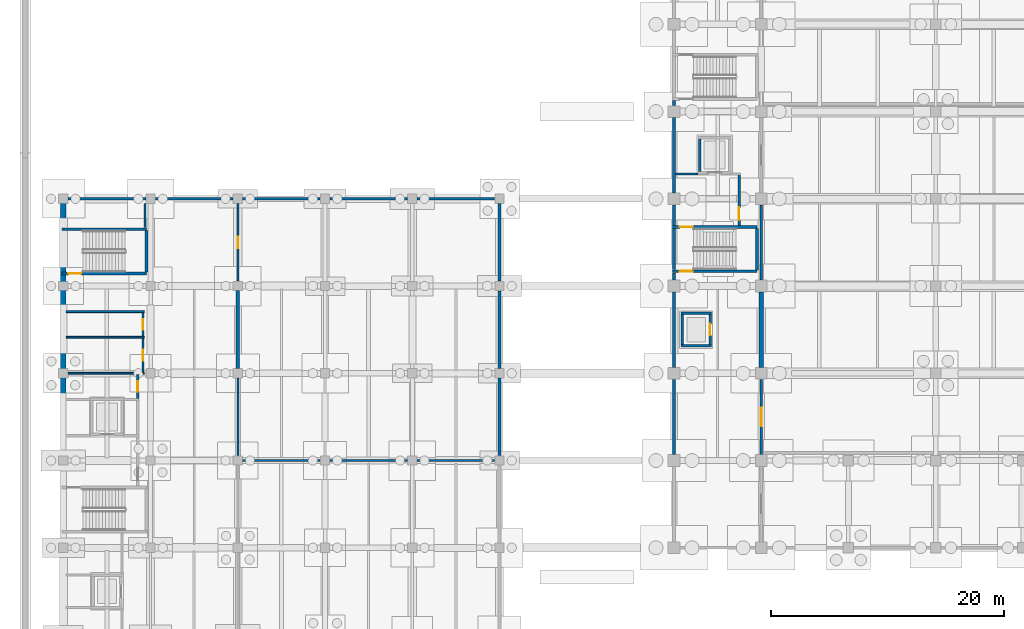
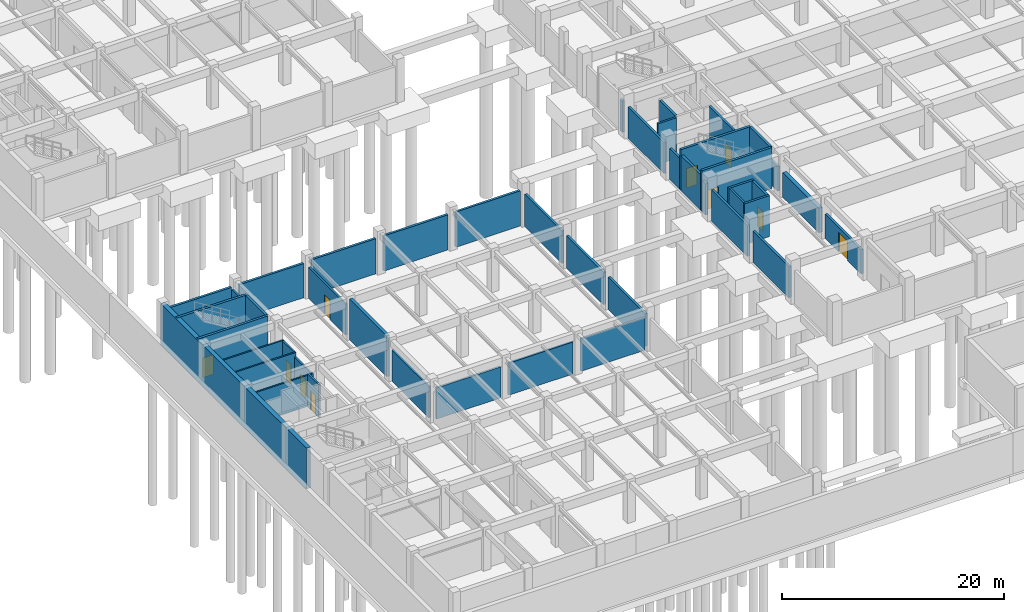
# One storey, part 23 of 38: 45 walls, 10 doors, 10 openings.
"""IFC4 building model written with IfcOpenShell, lengths in metres."""

from ifc_helpers import new_model, si_unit, direction, frame, frame_2d, origin, place, context, subcontext, project, spatial, rectangle, extrude, material, layer, layer_set, type_object, element, fill, save


model = new_model("IFC4")

# Units and contexts
model_context = context("Model", 3, precision=1e-05, world=origin(), true_north=direction((0.0, 1.0)))
body_context = subcontext(model_context, "Body", "Model", "MODEL_VIEW")
ifc_project = project(units=[si_unit("LENGTHUNIT", "METRE"), si_unit("AREAUNIT", "SQUARE_METRE"), si_unit("VOLUMEUNIT", "CUBIC_METRE"), si_unit("PLANEANGLEUNIT", "RADIAN"), si_unit("MASSUNIT", "GRAM", prefix="KILO")], contexts=[model_context])

# Site, building, storey
site_placement = place(None, origin())
site = spatial("IfcSite", under=ifc_project, at=site_placement, CompositionType="ELEMENT")
building_placement = place(site_placement, origin())
building = spatial("IfcBuilding", under=site, at=building_placement, Name="Qasida Concert Hall", CompositionType="ELEMENT")
storey_placement = place(building_placement, frame((0.0, 0.0, -4.800048828125)))
storey = spatial("IfcBuildingStorey", under=building, at=storey_placement, Name="B1", CompositionType="ELEMENT", Elevation=-4.800048828125)

# Walls
ifc_material_1 = material(Name="Concrete C40/50", Category="concrete")
ifc_layer_1 = layer(ifc_material_1, 0.219970703125, Name="Concrete C40/50")
ifc_layer_set_1 = layer_set([ifc_layer_1], Name="Concrete C40/50")
wall_type_1 = type_object("IfcWallType", Name="WL-CW-220", PredefinedType="SOLIDWALL", material=ifc_layer_set_1)
for number, where, z_axis, x_axis, name in (
    (1, (53.090087890625, 39.85009765625, 0.0), (0.0, 0.0, 1.0), (1.0, 0.0, 0.0), "B1 LF-01 lift shaft wall S"),
    (2, (53.090087890625, 42.64990234375, 0.0), (0.0, 0.0, 1.0), (1.0, 0.0, 0.0), "B1 LF-01 lift shaft wall N"),
):
    element("IfcWall", number, at=place(storey_placement, frame(where, z_axis=z_axis, x_axis=x_axis)), inside=storey, type_object=wall_type_1, Name=name, PredefinedType="SOLIDWALL", context=body_context, shape_type="SweptSolid", body=[
        extrude(rectangle(XDim=2.619873046875, YDim=0.219970703125, at=frame_2d((1.31005859375, 0.0))), origin(), (0.0, 0.0, 1.0), 4.5),
    ])
wall_1_placement = place(storey_placement, frame((53.199951171875, 39.9599609375, 0.0), z_axis=(0.0, 0.0, 1.0), x_axis=(0.0, 1.0, 0.0)))
element("IfcWall", 3, at=wall_1_placement, inside=storey, type_object=wall_type_1, Name="B1 LF-01 lift shaft wall W", PredefinedType="SOLIDWALL", context=body_context, shape_type="SweptSolid", body=[
    extrude(rectangle(XDim=2.580078125, YDim=0.219970703125, at=frame_2d((1.2900390625, 0.0))), origin(), (0.0, 0.0, 1.0), 4.5),
])

# Wall, opening, door
wall_2_placement = place(storey_placement, frame((55.60009765625, 39.9599609375, 0.0), z_axis=(0.0, 0.0, 1.0), x_axis=(0.0, 1.0, 0.0)))
wall_2 = element("IfcWall", 4, at=wall_2_placement, inside=storey, type_object=wall_type_1, Name="B1 LF-01 lift shaft wall E", PredefinedType="SOLIDWALL", context=body_context, shape_type="SweptSolid", body=[
    extrude(rectangle(XDim=2.580078125, YDim=0.219970703125, at=frame_2d((1.2900390625, 0.0))), origin(), (0.0, 0.0, 1.0), 4.5),
])
opening_1_placement = place(wall_2_placement, frame((0.7900390625, 0.0, 0.0)))
opening_1 = element("IfcOpeningElement", 5, at=opening_1_placement, cuts=wall_2, Name="Opening LD-100", PredefinedType="OPENING", context=body_context, shape_type="SweptSolid", body=[
    extrude(rectangle(XDim=1.0, YDim=2.14990234375, at=frame_2d((0.5, 1.074951171875))), frame((0.0, 0.119873046875, 0.0), z_axis=(0.0, -1.0, 0.0), x_axis=(1.0, 0.0, 0.0)), (0.0, 0.0, 1.0), 0.239990234375),
])
ifc_material_2 = material(Name="Brushed bronze passenger lift landing door", Category="steel")
door_type_1 = type_object("IfcDoorType", Name="LD-100", OperationType="SLIDING_TO_LEFT", PredefinedType="DOOR", material=ifc_material_2)
door_1_placement = place(opening_1_placement, origin())
door_1 = element("IfcDoor", 6, at=door_1_placement, inside=storey, type_object=door_type_1, Name="Lift landing door LF-01 B1", OperationType="SLIDING_TO_LEFT", OverallHeight=2.14990234375, OverallWidth=1.0, PredefinedType="DOOR", context=body_context, shape_type="SweptSolid", body=[
    extrude(rectangle(XDim=1.0, YDim=2.14990234375, at=frame_2d((0.5, 1.074951171875))), frame((0.0, 0.02490234375, 0.0), z_axis=(0.0, -1.0, 0.0), x_axis=(1.0, 0.0, 0.0)), (0.0, 0.0, 1.0), 0.050048828125),
])
fill(opening_1, door_1)

# Wall
wall_3_placement = place(storey_placement, frame((54.699951171875, 54.860107421875, 0.0), z_axis=(0.0, 0.0, 1.0), x_axis=(0.0, 1.0, 0.0)))
element("IfcWall", 7, at=wall_3_placement, inside=storey, type_object=wall_type_1, Name="B1 LF-03 lift shaft wall W", PredefinedType="SOLIDWALL", context=body_context, shape_type="SweptSolid", body=[
    extrude(rectangle(XDim=2.77978515625, YDim=0.219970703125, at=frame_2d((1.389892578125, 0.0))), origin(), (0.0, 0.0, 1.0), 4.5),
])

# Wall, opening, door
wall_4_placement = place(storey_placement, frame((58.10009765625, 50.219970703125, 0.0), z_axis=(0.0, 0.0, 1.0), x_axis=(0.0, 1.0, 0.0)))
wall_4 = element("IfcWall", 8, at=wall_4_placement, inside=storey, type_object=wall_type_1, Name="B1 LF-03 firefighting lobby wall", PredefinedType="SOLIDWALL", context=body_context, shape_type="SweptSolid", body=[
    extrude(rectangle(XDim=4.409912109375, YDim=0.219970703125, at=frame_2d((2.205078125, 0.0))), origin(), (0.0, 0.0, 1.0), 4.5),
])
opening_2_placement = place(wall_4_placement, frame((0.449951171875, 0.0, 0.0)))
opening_2 = element("IfcOpeningElement", 9, at=opening_2_placement, cuts=wall_4, Name="Opening FD-110", PredefinedType="OPENING", context=body_context, shape_type="SweptSolid", body=[
    extrude(rectangle(XDim=1.10009765625, YDim=2.14990234375, at=frame_2d((0.550048828125, 1.074951171875))), frame((0.0, 0.119873046875, 0.0), z_axis=(0.0, -1.0, 0.0), x_axis=(1.0, 0.0, 0.0)), (0.0, 0.0, 1.0), 0.239990234375),
])
ifc_material_3 = material(Name="Steel fire-rated stair/lobby door set", Category="steel")
door_type_2 = type_object("IfcDoorType", Name="FD-110", OperationType="NOTDEFINED", PredefinedType="DOOR", material=ifc_material_3)
door_2_placement = place(opening_2_placement, origin())
door_2 = element("IfcDoor", 10, at=door_2_placement, inside=storey, type_object=door_type_2, Name="B1 LF-03 firefighting lobby fire door", OperationType="SINGLE_SWING_LEFT", OverallHeight=2.14990234375, OverallWidth=1.10009765625, PredefinedType="DOOR", context=body_context, shape_type="SweptSolid", body=[
    extrude(rectangle(XDim=1.10009765625, YDim=2.14990234375, at=frame_2d((0.550048828125, 1.074951171875))), frame((0.0, 0.02490234375, 0.0), z_axis=(0.0, -1.0, 0.0), x_axis=(1.0, 0.0, 0.0)), (0.0, 0.0, 1.0), 0.050048828125),
])
fill(opening_2, door_2)

ifc_layer_2 = layer(ifc_material_1, 0.25, Name="Concrete C40/50")
ifc_layer_set_2 = layer_set([ifc_layer_2], Name="Concrete C40/50")
wall_type_2 = type_object("IfcWallType", Name="WL-CW-250", PredefinedType="SOLIDWALL", material=ifc_layer_set_2)
wall_5_placement = place(storey_placement, frame((52.3798828125, 46.27490234375, 0.0), z_axis=(0.0, 0.0, 1.0), x_axis=(1.0, 0.0, 0.0)))
wall_5 = element("IfcWall", 11, at=wall_5_placement, inside=storey, type_object=wall_type_2, Name="B1 ST-01 stairwell wall S", PredefinedType="SOLIDWALL", context=body_context, shape_type="SweptSolid", body=[
    extrude(rectangle(XDim=7.260009765625, YDim=0.25, at=frame_2d((3.6298828125, 0.0))), origin(), (0.0, 0.0, 1.0), 4.5),
])
opening_3_placement = place(wall_5_placement, frame((0.6201171875, 0.0, 0.0)))
opening_3 = element("IfcOpeningElement", 12, at=opening_3_placement, cuts=wall_5, Name="Opening FD-110", PredefinedType="OPENING", context=body_context, shape_type="SweptSolid", body=[
    extrude(rectangle(XDim=1.10009765625, YDim=2.14990234375, at=frame_2d((0.550048828125, 1.074951171875))), frame((0.0, 0.135009765625, 0.0), z_axis=(0.0, -1.0, 0.0), x_axis=(1.0, 0.0, 0.0)), (0.0, 0.0, 1.0), 0.27001953125),
])
door_3_placement = place(opening_3_placement, origin())
door_3 = element("IfcDoor", 13, at=door_3_placement, inside=storey, type_object=door_type_2, Name="B1 ST-01 rated stair door", OperationType="SINGLE_SWING_LEFT", OverallHeight=2.14990234375, OverallWidth=1.10009765625, PredefinedType="DOOR", context=body_context, shape_type="SweptSolid", body=[
    extrude(rectangle(XDim=1.10009765625, YDim=2.14990234375, at=frame_2d((0.550048828125, 1.074951171875))), frame((0.0, 0.02490234375, 0.0), z_axis=(0.0, -1.0, 0.0), x_axis=(1.0, 0.0, 0.0)), (0.0, 0.0, 1.0), 0.050048828125),
])
fill(opening_3, door_3)

wall_6_placement = place(storey_placement, frame((52.3798828125, 50.0849609375, 0.0), z_axis=(0.0, 0.0, 1.0), x_axis=(1.0, 0.0, 0.0)))
wall_6 = element("IfcWall", 14, at=wall_6_placement, inside=storey, type_object=wall_type_2, Name="B1 ST-01 stairwell wall N", PredefinedType="SOLIDWALL", context=body_context, shape_type="SweptSolid", body=[
    extrude(rectangle(XDim=7.260009765625, YDim=0.25, at=frame_2d((3.6298828125, 0.0))), origin(), (0.0, 0.0, 1.0), 4.5),
])
opening_4_placement = place(wall_6_placement, frame((0.6201171875, 0.0, 0.0)))
opening_4 = element("IfcOpeningElement", 15, at=opening_4_placement, cuts=wall_6, Name="Opening FD-110", PredefinedType="OPENING", context=body_context, shape_type="SweptSolid", body=[
    extrude(rectangle(XDim=1.10009765625, YDim=2.14990234375, at=frame_2d((0.550048828125, 1.074951171875))), frame((0.0, 0.135009765625, 0.0), z_axis=(0.0, -1.0, 0.0), x_axis=(1.0, 0.0, 0.0)), (0.0, 0.0, 1.0), 0.27001953125),
])
door_4_placement = place(opening_4_placement, frame((1.10009765625, 0.0, 0.0), z_axis=(0.0, 0.0, 1.0), x_axis=(-1.0, 0.0, 0.0)))
door_4 = element("IfcDoor", 16, at=door_4_placement, inside=storey, type_object=door_type_2, Name="B1 ST-01 rated stair door", OperationType="SINGLE_SWING_RIGHT", OverallHeight=2.14990234375, OverallWidth=1.10009765625, PredefinedType="DOOR", context=body_context, shape_type="SweptSolid", body=[
    extrude(rectangle(XDim=1.10009765625, YDim=2.14990234375, at=frame_2d((0.550048828125, 1.074951171875))), frame((0.0, 0.02490234375, 0.0), z_axis=(0.0, -1.0, 0.0), x_axis=(1.0, 0.0, 0.0)), (0.0, 0.0, 1.0), 0.050048828125),
])
fill(opening_4, door_4)

# Wall
wall_7_placement = place(storey_placement, frame((59.64501953125, 46.39990234375, 0.0), z_axis=(0.0, 0.0, 1.0), x_axis=(0.0, 1.0, 0.0)))
element("IfcWall", 17, at=wall_7_placement, inside=storey, type_object=wall_type_2, Name="B1 ST-01 stairwell wall E", PredefinedType="SOLIDWALL", context=body_context, shape_type="SweptSolid", body=[
    extrude(rectangle(XDim=3.56005859375, YDim=0.25, at=frame_2d((1.780029296875, 0.0))), origin(), (0.0, 0.0, 1.0), 4.5),
])

# Wall, opening, door
wall_8_placement = place(storey_placement, frame((-0.1201171875, 46.074951171875, 0.0), z_axis=(0.0, 0.0, 1.0), x_axis=(1.0, 0.0, 0.0)))
wall_8 = element("IfcWall", 18, at=wall_8_placement, inside=storey, type_object=wall_type_2, Name="B1 ST-04 stairwell wall S", PredefinedType="SOLIDWALL", context=body_context, shape_type="SweptSolid", body=[
    extrude(rectangle(XDim=7.260009765625, YDim=0.25, at=frame_2d((3.6298828125, 0.0))), origin(), (0.0, 0.0, 1.0), 4.5),
])
opening_5_placement = place(wall_8_placement, frame((0.56005859375, 0.0, 0.0)))
opening_5 = element("IfcOpeningElement", 19, at=opening_5_placement, cuts=wall_8, Name="Opening FD-110", PredefinedType="OPENING", context=body_context, shape_type="SweptSolid", body=[
    extrude(rectangle(XDim=1.10009765625, YDim=2.14990234375, at=frame_2d((0.550048828125, 1.074951171875))), frame((0.0, 0.135009765625, 0.0), z_axis=(0.0, -1.0, 0.0), x_axis=(1.0, 0.0, 0.0)), (0.0, 0.0, 1.0), 0.27001953125),
])
door_5_placement = place(opening_5_placement, origin())
door_5 = element("IfcDoor", 20, at=door_5_placement, inside=storey, type_object=door_type_2, Name="B1 ST-04 rated stair door", OperationType="SINGLE_SWING_LEFT", OverallHeight=2.14990234375, OverallWidth=1.10009765625, PredefinedType="DOOR", context=body_context, shape_type="SweptSolid", body=[
    extrude(rectangle(XDim=1.10009765625, YDim=2.14990234375, at=frame_2d((0.550048828125, 1.074951171875))), frame((0.0, 0.02490234375, 0.0), z_axis=(0.0, -1.0, 0.0), x_axis=(1.0, 0.0, 0.0)), (0.0, 0.0, 1.0), 0.050048828125),
])
fill(opening_5, door_5)

# Walls
wall_9_placement = place(storey_placement, frame((-0.1201171875, 49.885009765625, 0.0), z_axis=(0.0, 0.0, 1.0), x_axis=(1.0, 0.0, 0.0)))
element("IfcWall", 21, at=wall_9_placement, inside=storey, type_object=wall_type_2, Name="B1 ST-04 stairwell wall N", PredefinedType="SOLIDWALL", context=body_context, shape_type="SweptSolid", body=[
    extrude(rectangle(XDim=7.260009765625, YDim=0.25, at=frame_2d((3.6298828125, 0.0))), origin(), (0.0, 0.0, 1.0), 4.5),
])
wall_10_placement = place(storey_placement, frame((7.14501953125, 46.199951171875, 0.0), z_axis=(0.0, 0.0, 1.0), x_axis=(0.0, 1.0, 0.0)))
element("IfcWall", 22, at=wall_10_placement, inside=storey, type_object=wall_type_2, Name="B1 ST-04 stairwell wall E", PredefinedType="SOLIDWALL", context=body_context, shape_type="SweptSolid", body=[
    extrude(rectangle(XDim=3.56005859375, YDim=0.25, at=frame_2d((1.780029296875, 0.0))), origin(), (0.0, 0.0, 1.0), 4.5),
])
ifc_material_4 = material(Name="Moisture-resistant gypsum partition", Category="gypsum")
ifc_layer_3 = layer(ifc_material_4, 0.159912109375, Name="Moisture-resistant gypsum partition")
ifc_layer_set_3 = layer_set([ifc_layer_3], Name="Moisture-resistant gypsum partition")
wall_type_3 = type_object("IfcWallType", Name="WL-PW-160", PredefinedType="PARTITIONING", material=ifc_layer_set_3)
wall_11_placement = place(storey_placement, frame((0.4140625, 37.5, 0.0), z_axis=(0.0, 0.0, 1.0), x_axis=(1.0, 0.0, 0.0)))
element("IfcWall", 23, at=wall_11_placement, inside=storey, type_object=wall_type_3, Name="B1 partition PW-160 0106", PredefinedType="PARTITIONING", context=body_context, shape_type="SweptSolid", body=[
    extrude(rectangle(XDim=6.535888671875, YDim=0.159912109375, at=frame_2d((3.26806640625, 0.0))), origin(), (0.0, 0.0, 1.0), 3.420166015625),
])
for number, where, z_axis, x_axis, name in (
    (24, (0.239013671875, 40.60009765625, 0.0), (0.0, 0.0, 1.0), (1.0, 0.0, 0.0), "B1 partition PW-160 0110"),
    (25, (0.239013671875, 42.800048828125, 0.0), (0.0, 0.0, 1.0), (1.0, 0.0, 0.0), "B1 partition PW-160 0111"),
):
    element("IfcWall", number, at=place(storey_placement, frame(where, z_axis=z_axis, x_axis=x_axis)), inside=storey, type_object=wall_type_3, Name=name, PredefinedType="PARTITIONING", context=body_context, shape_type="SweptSolid", body=[
        extrude(rectangle(XDim=6.7109375, YDim=0.159912109375, at=frame_2d((3.35546875, 0.0))), origin(), (0.0, 0.0, 1.0), 3.8701171875),
    ])

# Wall, opening, door
wall_12_placement = place(storey_placement, frame((6.85009765625, 37.593994140625, 0.0), z_axis=(0.0, 0.0, 1.0), x_axis=(0.0, 1.0, 0.0)))
wall_12 = element("IfcWall", 26, at=wall_12_placement, inside=storey, type_object=wall_type_3, Name="B1 partition PW-160 0112", PredefinedType="PARTITIONING", context=body_context, shape_type="SweptSolid", body=[
    extrude(rectangle(XDim=2.912109375, YDim=0.159912109375, at=frame_2d((1.4560546875, 0.0))), origin(), (0.0, 0.0, 1.0), 3.420166015625),
])
opening_6_placement = place(wall_12_placement, frame((0.98095703125, 0.0, 0.0)))
opening_6 = element("IfcOpeningElement", 27, at=opening_6_placement, cuts=wall_12, Name="Opening ID-095", PredefinedType="OPENING", context=body_context, shape_type="SweptSolid", body=[
    extrude(rectangle(XDim=0.949951171875, YDim=2.10009765625, at=frame_2d((0.47509765625, 1.050048828125))), frame((0.0, 0.08984375, 0.0), z_axis=(0.0, -1.0, 0.0), x_axis=(1.0, 0.0, 0.0)), (0.0, 0.0, 1.0), 0.179931640625),
])
ifc_material_5 = material(Name="Quarter-sawn oak accessible WC door", Category="wood")
door_type_3 = type_object("IfcDoorType", Name="ID-095", OperationType="NOTDEFINED", PredefinedType="DOOR", material=ifc_material_5)
door_6_placement = place(opening_6_placement, origin())
door_6 = element("IfcDoor", 28, at=door_6_placement, inside=storey, type_object=door_type_3, Name="B1 Accessible WC door", OperationType="SINGLE_SWING_LEFT", OverallHeight=2.10009765625, OverallWidth=0.949951171875, PredefinedType="DOOR", context=body_context, shape_type="SweptSolid", body=[
    extrude(rectangle(XDim=0.949951171875, YDim=2.10009765625, at=frame_2d((0.47509765625, 1.050048828125))), frame((0.0, 0.02490234375, 0.0), z_axis=(0.0, -1.0, 0.0), x_axis=(1.0, 0.0, 0.0)), (0.0, 0.0, 1.0), 0.050048828125),
])
fill(opening_6, door_6)

wall_13_placement = place(storey_placement, frame((6.85009765625, 40.694091796875, 0.0), z_axis=(0.0, 0.0, 1.0), x_axis=(0.0, 1.0, 0.0)))
wall_13 = element("IfcWall", 29, at=wall_13_placement, inside=storey, type_object=wall_type_3, Name="B1 partition PW-160 0113", PredefinedType="PARTITIONING", context=body_context, shape_type="SweptSolid", body=[
    extrude(rectangle(XDim=2.011962890625, YDim=0.159912109375, at=frame_2d((1.005859375, 0.0))), origin(), (0.0, 0.0, 1.0), 3.8701171875),
])
opening_7_placement = place(wall_13_placement, frame((0.555908203125, 0.0, 0.0)))
opening_7 = element("IfcOpeningElement", 30, at=opening_7_placement, cuts=wall_13, Name="Opening ID-090", PredefinedType="OPENING", context=body_context, shape_type="SweptSolid", body=[
    extrude(rectangle(XDim=0.89990234375, YDim=2.10009765625, at=frame_2d((0.449951171875, 1.050048828125))), frame((0.0, 0.08984375, 0.0), z_axis=(0.0, -1.0, 0.0), x_axis=(1.0, 0.0, 0.0)), (0.0, 0.0, 1.0), 0.179931640625),
])
ifc_material_6 = material(Name="Quarter-sawn oak flush room door", Category="wood")
door_type_4 = type_object("IfcDoorType", Name="ID-090", OperationType="NOTDEFINED", PredefinedType="DOOR", material=ifc_material_6)
door_7_placement = place(opening_7_placement, origin())
door_7 = element("IfcDoor", 31, at=door_7_placement, inside=storey, type_object=door_type_4, Name="B1 Family care suite door", OperationType="SINGLE_SWING_RIGHT", OverallHeight=2.10009765625, OverallWidth=0.89990234375, PredefinedType="DOOR", context=body_context, shape_type="SweptSolid", body=[
    extrude(rectangle(XDim=0.89990234375, YDim=2.10009765625, at=frame_2d((0.449951171875, 1.050048828125))), frame((0.0, 0.02490234375, 0.0), z_axis=(0.0, -1.0, 0.0), x_axis=(1.0, 0.0, 0.0)), (0.0, 0.0, 1.0), 0.050048828125),
])
fill(opening_7, door_7)

ifc_material_7 = material(Name="Acoustic metal-stud gypsum partition", Category="gypsum")
ifc_layer_4 = layer(ifc_material_7, 0.179931640625, Name="Acoustic metal-stud gypsum partition")
ifc_layer_set_4 = layer_set([ifc_layer_4], Name="Acoustic metal-stud gypsum partition")
wall_type_4 = type_object("IfcWallType", Name="WL-PW-180", PredefinedType="PARTITIONING", material=ifc_layer_set_4)
wall_14_placement = place(storey_placement, frame((6.39990234375, 35.35400390625, 0.0), z_axis=(0.0, 0.0, 1.0), x_axis=(0.0, 1.0, 0.0)))
wall_14 = element("IfcWall", 32, at=wall_14_placement, inside=storey, type_object=wall_type_4, Name="B1 partition PW-180 0108", PredefinedType="PARTITIONING", context=body_context, shape_type="SweptSolid", body=[
    extrude(rectangle(XDim=2.052001953125, YDim=0.179931640625, at=frame_2d((1.02587890625, 0.0))), origin(), (0.0, 0.0, 1.0), 3.670166015625),
])
opening_8_placement = place(wall_14_placement, frame((0.5458984375, 0.0, 0.0)))
opening_8 = element("IfcOpeningElement", 33, at=opening_8_placement, cuts=wall_14, Name="Opening ID-090", PredefinedType="OPENING", context=body_context, shape_type="SweptSolid", body=[
    extrude(rectangle(XDim=0.89990234375, YDim=2.10009765625, at=frame_2d((0.449951171875, 1.050048828125))), frame((0.0, 0.099853515625, 0.0), z_axis=(0.0, -1.0, 0.0), x_axis=(1.0, 0.0, 0.0)), (0.0, 0.0, 1.0), 0.199951171875),
])
door_8_placement = place(opening_8_placement, origin())
door_8 = element("IfcDoor", 34, at=door_8_placement, inside=storey, type_object=door_type_4, Name="B1 Custodial service room door", OperationType="SINGLE_SWING_RIGHT", OverallHeight=2.10009765625, OverallWidth=0.89990234375, PredefinedType="DOOR", context=body_context, shape_type="SweptSolid", body=[
    extrude(rectangle(XDim=0.89990234375, YDim=2.10009765625, at=frame_2d((0.449951171875, 1.050048828125))), frame((0.0, 0.02490234375, 0.0), z_axis=(0.0, -1.0, 0.0), x_axis=(1.0, 0.0, 0.0)), (0.0, 0.0, 1.0), 0.050048828125),
])
fill(opening_8, door_8)

# Walls
wall_15_placement = place(storey_placement, frame((7.02001953125, 50.02392578125, 0.0), z_axis=(0.0, 0.0, 1.0), x_axis=(0.0, 1.0, 0.0)))
element("IfcWall", 35, at=wall_15_placement, inside=storey, type_object=wall_type_4, Name="B1 partition PW-180 0109", PredefinedType="PARTITIONING", context=body_context, shape_type="SweptSolid", body=[
    extrude(rectangle(XDim=2.06201171875, YDim=0.179931640625, at=frame_2d((1.031005859375, 0.0))), origin(), (0.0, 0.0, 1.0), 3.77001953125),
])
wall_16_placement = place(storey_placement, frame((15.0, 30.4140625, 0.0), z_axis=(0.0, 0.0, 1.0), x_axis=(0.0, 1.0, 0.0)))
element("IfcWall", 36, at=wall_16_placement, inside=storey, type_object=wall_type_4, Name="B1 partition PW-180 0171", PredefinedType="PARTITIONING", context=body_context, shape_type="SweptSolid", body=[
    extrude(rectangle(XDim=6.671875, YDim=0.179931640625, at=frame_2d((3.3359375, 0.0))), origin(), (0.0, 0.0, 1.0), 3.420166015625),
])

# Wall, opening, door
wall_17_placement = place(storey_placement, frame((15.0, 45.4140625, 0.0), z_axis=(0.0, 0.0, 1.0), x_axis=(0.0, 1.0, 0.0)))
wall_17 = element("IfcWall", 37, at=wall_17_placement, inside=storey, type_object=wall_type_4, Name="B1 partition PW-180 0172", PredefinedType="PARTITIONING", context=body_context, shape_type="SweptSolid", body=[
    extrude(rectangle(XDim=6.671875, YDim=0.179931640625, at=frame_2d((3.3359375, 0.0))), origin(), (0.0, 0.0, 1.0), 3.420166015625),
])
opening_9_placement = place(wall_17_placement, frame((2.8359375, 0.0, 0.0)))
opening_9 = element("IfcOpeningElement", 38, at=opening_9_placement, cuts=wall_17, Name="Opening FD-100", PredefinedType="OPENING", context=body_context, shape_type="SweptSolid", body=[
    extrude(rectangle(XDim=1.0, YDim=2.1201171875, at=frame_2d((0.5, 1.06005859375))), frame((0.0, 0.099853515625, 0.0), z_axis=(0.0, -1.0, 0.0), x_axis=(1.0, 0.0, 0.0)), (0.0, 0.0, 1.0), 0.199951171875),
])
ifc_material_8 = material(Name="Timber-faced fire-rated corridor door", Category="wood")
door_type_5 = type_object("IfcDoorType", Name="FD-100", OperationType="NOTDEFINED", PredefinedType="DOOR", material=ifc_material_8)
door_9_placement = place(opening_9_placement, origin())
door_9 = element("IfcDoor", 39, at=door_9_placement, inside=storey, type_object=door_type_5, Name="B1 Commissary kitchen door", OperationType="SINGLE_SWING_LEFT", OverallHeight=2.1201171875, OverallWidth=1.0, PredefinedType="DOOR", context=body_context, shape_type="SweptSolid", body=[
    extrude(rectangle(XDim=1.0, YDim=2.1201171875, at=frame_2d((0.5, 1.06005859375))), frame((0.0, 0.02490234375, 0.0), z_axis=(0.0, -1.0, 0.0), x_axis=(1.0, 0.0, 0.0)), (0.0, 0.0, 1.0), 0.050048828125),
])
fill(opening_9, door_9)

# Walls
ifc_material_9 = material(Name="Acoustic gypsum block and mineral wool", Category="gypsum")
ifc_layer_5 = layer(ifc_material_9, 0.199951171875, Name="Acoustic gypsum block and mineral wool")
ifc_layer_set_5 = layer_set([ifc_layer_5], Name="Acoustic gypsum block and mineral wool")
wall_type_5 = type_object("IfcWallType", Name="WL-PW-200", PredefinedType="PARTITIONING", material=ifc_layer_set_5)
wall_18_placement = place(storey_placement, frame((52.639892578125, 54.6298828125, 0.0), z_axis=(0.0, 0.0, 1.0), x_axis=(1.0, 0.0, 0.0)))
element("IfcWall", 40, at=wall_18_placement, inside=storey, type_object=wall_type_5, Name="B1 LF-03 firefighting lobby return wall", PredefinedType="PARTITIONING", context=body_context, shape_type="SweptSolid", body=[
    extrude(rectangle(XDim=1.93505859375, YDim=0.199951171875, at=frame_2d((0.967529296875, 0.0))), origin(), (0.0, 0.0, 1.0), 4.47998046875),
])
wall_19_placement = place(storey_placement, frame((15.4140625, 30.0, 0.0), z_axis=(0.0, 0.0, 1.0), x_axis=(1.0, 0.0, 0.0)))
element("IfcWall", 41, at=wall_19_placement, inside=storey, type_object=wall_type_5, Name="B1 partition PW-200 0164", PredefinedType="PARTITIONING", context=body_context, shape_type="SweptSolid", body=[
    extrude(rectangle(XDim=6.671875, YDim=0.199951171875, at=frame_2d((3.3359375, 0.0))), origin(), (0.0, 0.0, 1.0), 3.420166015625),
])
wall_20_placement = place(storey_placement, frame((22.9140625, 30.0, 0.0), z_axis=(0.0, 0.0, 1.0), x_axis=(1.0, 0.0, 0.0)))
element("IfcWall", 42, at=wall_20_placement, inside=storey, type_object=wall_type_5, Name="B1 partition PW-200 0165", PredefinedType="PARTITIONING", context=body_context, shape_type="SweptSolid", body=[
    extrude(rectangle(XDim=6.671875, YDim=0.199951171875, at=frame_2d((3.3359375, 0.0))), origin(), (0.0, 0.0, 1.0), 3.52001953125),
])
wall_21_placement = place(storey_placement, frame((30.4140625, 30.0, 0.0), z_axis=(0.0, 0.0, 1.0), x_axis=(1.0, 0.0, 0.0)))
element("IfcWall", 43, at=wall_21_placement, inside=storey, type_object=wall_type_5, Name="B1 partition PW-200 0166", PredefinedType="PARTITIONING", context=body_context, shape_type="SweptSolid", body=[
    extrude(rectangle(XDim=6.671875, YDim=0.199951171875, at=frame_2d((3.3359375, 0.0))), origin(), (0.0, 0.0, 1.0), 3.570068359375),
])
ifc_material_10 = material(Name="Double-stud acoustic gypsum and mineral wool", Category="gypsum")
ifc_layer_6 = layer(ifc_material_10, 0.239990234375, Name="Double-stud acoustic gypsum and mineral wool")
ifc_layer_set_6 = layer_set([ifc_layer_6], Name="Double-stud acoustic gypsum and mineral wool")
wall_type_6 = type_object("IfcWallType", Name="WL-PW-240", PredefinedType="PARTITIONING", material=ifc_layer_set_6)
for number, where, z_axis, x_axis, name in (
    (44, (0.4140625, 52.5, 0.0), (0.0, 0.0, 1.0), (1.0, 0.0, 0.0), "B1 partition PW-240 0001"),
    (45, (7.9140625, 52.5, 0.0), (0.0, 0.0, 1.0), (1.0, 0.0, 0.0), "B1 partition PW-240 0002"),
):
    element("IfcWall", number, at=place(storey_placement, frame(where, z_axis=z_axis, x_axis=x_axis)), inside=storey, type_object=wall_type_6, Name=name, PredefinedType="PARTITIONING", context=body_context, shape_type="SweptSolid", body=[
        extrude(rectangle(XDim=6.671875, YDim=0.239990234375, at=frame_2d((3.3359375, 0.0))), origin(), (0.0, 0.0, 1.0), 3.77001953125),
    ])
for number, where, z_axis, x_axis, name in (
    (46, (15.4140625, 52.5, 0.0), (0.0, 0.0, 1.0), (1.0, 0.0, 0.0), "B1 partition PW-240 0003"),
    (47, (22.9140625, 52.5, 0.0), (0.0, 0.0, 1.0), (1.0, 0.0, 0.0), "B1 partition PW-240 0004"),
    (48, (30.4140625, 52.5, 0.0), (0.0, 0.0, 1.0), (1.0, 0.0, 0.0), "B1 partition PW-240 0005"),
):
    element("IfcWall", number, at=place(storey_placement, frame(where, z_axis=z_axis, x_axis=x_axis)), inside=storey, type_object=wall_type_6, Name=name, PredefinedType="PARTITIONING", context=body_context, shape_type="SweptSolid", body=[
        extrude(rectangle(XDim=6.671875, YDim=0.239990234375, at=frame_2d((3.3359375, 0.0))), origin(), (0.0, 0.0, 1.0), 3.8701171875),
    ])
for number, where, z_axis, x_axis, name in (
    (49, (37.5, 30.4140625, 0.0), (0.0, 0.0, 1.0), (0.0, 1.0, 0.0), "B1 partition PW-240 0010"),
    (50, (37.5, 37.9140625, 0.0), (0.0, 0.0, 1.0), (0.0, 1.0, 0.0), "B1 partition PW-240 0011"),
    (51, (37.5, 45.4140625, 0.0), (0.0, 0.0, 1.0), (0.0, 1.0, 0.0), "B1 partition PW-240 0012"),
):
    element("IfcWall", number, at=place(storey_placement, frame(where, z_axis=z_axis, x_axis=x_axis)), inside=storey, type_object=wall_type_6, Name=name, PredefinedType="PARTITIONING", context=body_context, shape_type="SweptSolid", body=[
        extrude(rectangle(XDim=6.671875, YDim=0.239990234375, at=frame_2d((3.3359375, 0.0))), origin(), (0.0, 0.0, 1.0), 3.570068359375),
    ])
for number, where, z_axis, x_axis, name in (
    (52, (52.5, 30.513916015625, 0.0), (0.0, 0.0, 1.0), (0.0, 1.0, 0.0), "B1 partition PW-240 0040"),
    (53, (52.5, 38.013916015625, 0.0), (0.0, 0.0, 1.0), (0.0, 1.0, 0.0), "B1 partition PW-240 0041"),
):
    element("IfcWall", number, at=place(storey_placement, frame(where, z_axis=z_axis, x_axis=x_axis)), inside=storey, type_object=wall_type_6, Name=name, PredefinedType="PARTITIONING", context=body_context, shape_type="SweptSolid", body=[
        extrude(rectangle(XDim=6.47216796875, YDim=0.239990234375, at=frame_2d((3.236083984375, 0.0))), origin(), (0.0, 0.0, 1.0), 3.420166015625),
    ])
wall_22_placement = place(storey_placement, frame((52.5, 45.513916015625, 0.0), z_axis=(0.0, 0.0, 1.0), x_axis=(0.0, 1.0, 0.0)))
element("IfcWall", 54, at=wall_22_placement, inside=storey, type_object=wall_type_6, Name="B1 partition PW-240 0042", PredefinedType="PARTITIONING", context=body_context, shape_type="SweptSolid", body=[
    extrude(rectangle(XDim=0.6220703125, YDim=0.239990234375, at=frame_2d((0.31103515625, 0.0))), origin(), (0.0, 0.0, 1.0), 3.420166015625),
])
wall_23_placement = place(storey_placement, frame((52.5, 46.4140625, 0.0), z_axis=(0.0, 0.0, 1.0), x_axis=(0.0, 1.0, 0.0)))
element("IfcWall", 55, at=wall_23_placement, inside=storey, type_object=wall_type_6, Name="B1 partition PW-240 0043", PredefinedType="PARTITIONING", context=body_context, shape_type="SweptSolid", body=[
    extrude(rectangle(XDim=3.531982421875, YDim=0.239990234375, at=frame_2d((1.76611328125, 0.0))), origin(), (0.0, 0.0, 1.0), 3.8701171875),
])
wall_24_placement = place(storey_placement, frame((52.5, 50.22412109375, 0.0), z_axis=(0.0, 0.0, 1.0), x_axis=(0.0, 1.0, 0.0)))
element("IfcWall", 56, at=wall_24_placement, inside=storey, type_object=wall_type_6, Name="B1 partition PW-240 0044", PredefinedType="PARTITIONING", context=body_context, shape_type="SweptSolid", body=[
    extrude(rectangle(XDim=1.761962890625, YDim=0.239990234375, at=frame_2d((0.880859375, 0.0))), origin(), (0.0, 0.0, 1.0), 3.420166015625),
])
wall_25_placement = place(storey_placement, frame((52.5, 53.013916015625, 0.0), z_axis=(0.0, 0.0, 1.0), x_axis=(0.0, 1.0, 0.0)))
element("IfcWall", 57, at=wall_25_placement, inside=storey, type_object=wall_type_6, Name="B1 partition PW-240 0045", PredefinedType="PARTITIONING", context=body_context, shape_type="SweptSolid", body=[
    extrude(rectangle(XDim=6.47216796875, YDim=0.239990234375, at=frame_2d((3.236083984375, 0.0))), origin(), (0.0, 0.0, 1.0), 3.420166015625),
])
wall_26_placement = place(storey_placement, frame((52.5, 60.513916015625, 0.0), z_axis=(0.0, 0.0, 1.0), x_axis=(0.0, 1.0, 0.0)))
element("IfcWall", 58, at=wall_26_placement, inside=storey, type_object=wall_type_6, Name="B1 partition PW-240 0046", PredefinedType="PARTITIONING", context=body_context, shape_type="SweptSolid", body=[
    extrude(rectangle(XDim=0.422119140625, YDim=0.239990234375, at=frame_2d((0.2109375, 0.0))), origin(), (0.0, 0.0, 1.0), 3.420166015625),
])

# Wall, opening, door
wall_27_placement = place(storey_placement, frame((60.0, 30.513916015625, 0.0), z_axis=(0.0, 0.0, 1.0), x_axis=(0.0, 1.0, 0.0)))
wall_27 = element("IfcWall", 59, at=wall_27_placement, inside=storey, type_object=wall_type_6, Name="B1 partition PW-240 0398", PredefinedType="PARTITIONING", context=body_context, shape_type="SweptSolid", body=[
    extrude(rectangle(XDim=6.47216796875, YDim=0.239990234375, at=frame_2d((3.236083984375, 0.0))), origin(), (0.0, 0.0, 1.0), 2.670166015625),
])
opening_10_placement = place(wall_27_placement, frame((2.43603515625, 0.0, 0.0)))
opening_10 = element("IfcOpeningElement", 60, at=opening_10_placement, cuts=wall_27, Name="Opening FD-160", PredefinedType="OPENING", context=body_context, shape_type="SweptSolid", body=[
    extrude(rectangle(XDim=1.60009765625, YDim=2.14990234375, at=frame_2d((0.800048828125, 1.074951171875))), frame((0.0, 0.1298828125, 0.0), z_axis=(0.0, -1.0, 0.0), x_axis=(1.0, 0.0, 0.0)), (0.0, 0.0, 1.0), 0.260009765625),
])
ifc_material_11 = material(Name="Double-leaf acoustic fire door", Category="steel")
door_type_6 = type_object("IfcDoorType", Name="FD-160", OperationType="NOTDEFINED", PredefinedType="DOOR", material=ifc_material_11)
door_10_placement = place(opening_10_placement, origin())
door_10 = element("IfcDoor", 61, at=door_10_placement, inside=storey, type_object=door_type_6, Name="B1 Displacement plenum south-west fire door", OperationType="SINGLE_SWING_LEFT", OverallHeight=2.14990234375, OverallWidth=1.60009765625, PredefinedType="DOOR", context=body_context, shape_type="SweptSolid", body=[
    extrude(rectangle(XDim=1.60009765625, YDim=2.14990234375, at=frame_2d((0.800048828125, 1.074951171875))), frame((0.0, 0.02490234375, 0.0), z_axis=(0.0, -1.0, 0.0), x_axis=(1.0, 0.0, 0.0)), (0.0, 0.0, 1.0), 0.050048828125),
])
fill(opening_10, door_10)

# Walls
wall_28_placement = place(storey_placement, frame((60.0, 45.513916015625, 0.0), z_axis=(0.0, 0.0, 1.0), x_axis=(0.0, 1.0, 0.0)))
element("IfcWall", 62, at=wall_28_placement, inside=storey, type_object=wall_type_6, Name="B1 partition PW-240 0399", PredefinedType="PARTITIONING", context=body_context, shape_type="SweptSolid", body=[
    extrude(rectangle(XDim=6.47216796875, YDim=0.239990234375, at=frame_2d((3.236083984375, 0.0))), origin(), (0.0, 0.0, 1.0), 2.670166015625),
])
ifc_layer_7 = layer(ifc_material_1, 0.449951171875, Name="Concrete C40/50")
ifc_layer_set_7 = layer_set([ifc_layer_7], Name="Concrete C40/50")
wall_type_7 = type_object("IfcWallType", Name="WL-RW-450", PredefinedType="USERDEFINED", material=ifc_layer_set_7)
wall_29_placement = place(storey_placement, frame((0.0, 26.25, 0.0), z_axis=(0.0, 0.0, 1.0), x_axis=(0.0, 1.0, 0.0)))
element("IfcWall", 63, at=wall_29_placement, inside=storey, type_object=wall_type_7, Name="B1 retaining wall RW-450 002", ObjectType="RETAININGWALL", PredefinedType="USERDEFINED", context=body_context, shape_type="SweptSolid", body=[
    extrude(rectangle(XDim=26.25, YDim=0.449951171875, at=frame_2d((13.125, 0.0))), origin(), (0.0, 0.0, 1.0), 4.5),
])
ifc_layer_8 = layer(ifc_material_1, 0.320068359375, Name="Concrete C40/50")
ifc_layer_set_8 = layer_set([ifc_layer_8], Name="Concrete C40/50")
wall_type_8 = type_object("IfcWallType", Name="WL-SW-320", PredefinedType="SHEAR", material=ifc_layer_set_8)
wall_30_placement = place(storey_placement, frame((15.0, 37.89990234375, 0.0), z_axis=(0.0, 0.0, 1.0), x_axis=(0.0, 1.0, 0.0)))
element("IfcWall", 64, at=wall_30_placement, inside=storey, type_object=wall_type_8, Name="B1 V3 foyer shear wall 0005", PredefinedType="SHEAR", context=body_context, shape_type="SweptSolid", body=[
    extrude(rectangle(XDim=6.7001953125, YDim=0.320068359375, at=frame_2d((3.35009765625, 0.0))), origin(), (0.0, 0.0, 1.0), 4.5),
])
ifc_layer_9 = layer(ifc_material_1, 0.39990234375, Name="Concrete C40/50")
ifc_layer_set_9 = layer_set([ifc_layer_9], Name="Concrete C40/50")
wall_type_9 = type_object("IfcWallType", Name="WL-SW-400", PredefinedType="SHEAR", material=ifc_layer_set_9)
wall_31_placement = place(storey_placement, frame((60.0, 38.0, 0.0), z_axis=(0.0, 0.0, 1.0), x_axis=(0.0, 1.0, 0.0)))
element("IfcWall", 65, at=wall_31_placement, inside=storey, type_object=wall_type_9, Name="B1 acoustic box shear wall 0001", PredefinedType="SHEAR", context=body_context, shape_type="SweptSolid", body=[
    extrude(rectangle(XDim=6.5, YDim=0.39990234375, at=frame_2d((3.25, 0.0))), origin(), (0.0, 0.0, 1.0), 2.699951171875),
])

save(model, "model.ifc")
